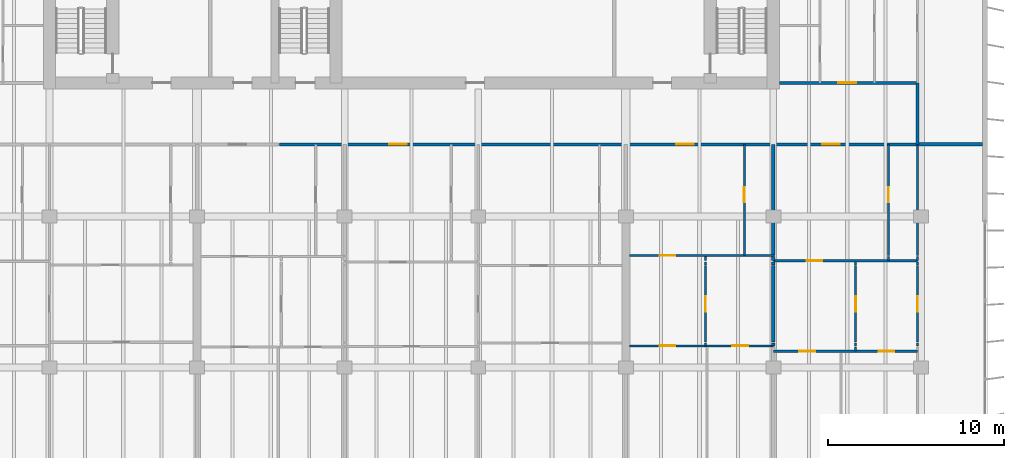
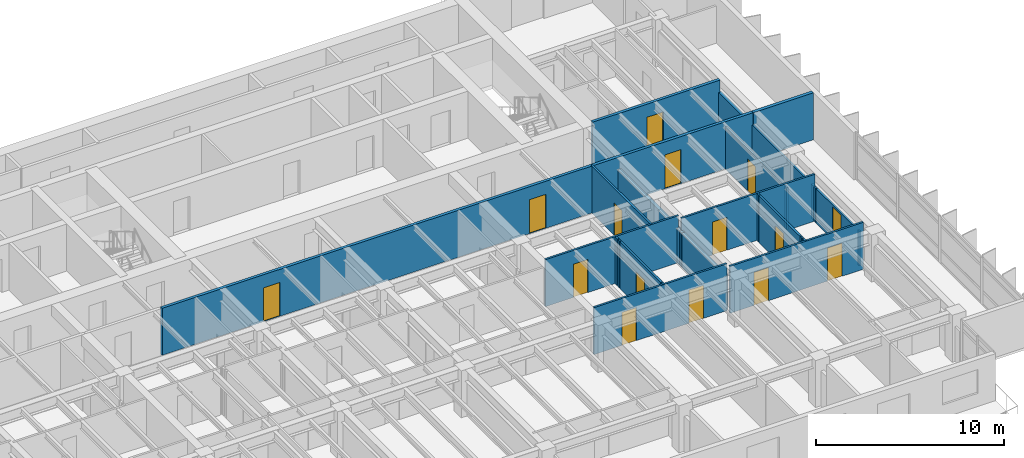
# One storey, part 12 of 19: 29 walls, 15 doors, 15 openings.
"""IFC4 building model written with IfcOpenShell, lengths in metres."""

from ifc_helpers import new_model, si_unit, direction, frame, frame_2d, origin, place, context, subcontext, project, spatial, rectangle, extrude, material, layer, layer_set, type_object, element, fill, save


model = new_model("IFC4")

# Units and contexts
model_context = context("Model", 3, precision=1e-05, world=origin(), true_north=direction((0.0, 1.0)))
body_context = subcontext(model_context, "Body", "Model", "MODEL_VIEW")
ifc_project = project(units=[si_unit("LENGTHUNIT", "METRE"), si_unit("AREAUNIT", "SQUARE_METRE"), si_unit("VOLUMEUNIT", "CUBIC_METRE"), si_unit("PLANEANGLEUNIT", "RADIAN"), si_unit("MASSUNIT", "GRAM", prefix="KILO")], contexts=[model_context])

# Site, building, storey
site_placement = place(None, origin())
site = spatial("IfcSite", under=ifc_project, at=site_placement, CompositionType="ELEMENT")
building_placement = place(site_placement, origin())
building = spatial("IfcBuilding", under=site, at=building_placement, Name="Caelmar Bay Residences", CompositionType="ELEMENT")
storey_placement = place(building_placement, frame((0.0, 0.0, 191.699951171875)))
storey = spatial("IfcBuildingStorey", under=building, at=storey_placement, Name="L53", CompositionType="ELEMENT", Elevation=191.699951171875)

# Wall
ifc_material_1 = material(Name="Double-stud acoustic fire-rated gypsum partition 180 mm")
ifc_layer_1 = layer(ifc_material_1, 0.179931640625)
ifc_layer_set_1 = layer_set([ifc_layer_1], Name="Double-stud acoustic fire-rated gypsum partition 180 mm")
wall_type_1 = type_object("IfcWallType", Name="W-COR-200", PredefinedType="PARTITIONING", material=ifc_layer_set_1)
wall_1_placement = place(storey_placement, frame((67.699951171875, 33.5048828125, 0.0), z_axis=(0.0, 0.0, 1.0), x_axis=(0.0, 1.0, 0.0)))
element("IfcWall", 1, at=wall_1_placement, inside=storey, type_object=wall_type_1, Name="L53 Partition Wall V101", PredefinedType="PARTITIONING", context=body_context, shape_type="SweptSolid", body=[
    extrude(rectangle(XDim=3.4951171875, YDim=0.179931640625, at=frame_2d((1.74755859375, 0.0))), origin(), (0.0, 0.0, 1.0), 2.262939453125),
])

# Wall, openings, doors
wall_2_placement = place(storey_placement, frame((31.39990234375, 33.5, 0.0), z_axis=(0.0, 0.0, 1.0), x_axis=(1.0, 0.0, 0.0)))
wall_2 = element("IfcWall", 2, at=wall_2_placement, inside=storey, type_object=wall_type_1, Name="L53 Partition Wall H126", PredefinedType="PARTITIONING", context=body_context, shape_type="SweptSolid", body=[
    extrude(rectangle(XDim=36.300048828125, YDim=0.179931640625, at=frame_2d((18.14990234375, 0.0))), origin(), (0.0, 0.0, 1.0), 3.050048828125),
])
opening_1_placement = place(wall_2_placement, frame((6.2314453125, 0.0, 0.0)))
opening_1 = element("IfcOpeningElement", 3, at=opening_1_placement, cuts=wall_2, Name="Opening D-L53-139", PredefinedType="OPENING", context=body_context, shape_type="SweptSolid", body=[
    extrude(rectangle(XDim=1.0, YDim=2.199951171875, at=frame_2d((0.5, 1.10009765625))), frame((0.0, 0.099853515625, 0.0), z_axis=(0.0, -1.0, 0.0), x_axis=(1.0, 0.0, 0.0)), (0.0, 0.0, 1.0), 0.199951171875),
])
opening_2_placement = place(wall_2_placement, frame((22.574951171875, 0.0, 0.0)))
opening_2 = element("IfcOpeningElement", 4, at=opening_2_placement, cuts=wall_2, Name="Opening D-L53-148", PredefinedType="OPENING", context=body_context, shape_type="SweptSolid", body=[
    extrude(rectangle(XDim=1.0, YDim=2.199951171875, at=frame_2d((0.5, 1.10009765625))), frame((0.0, 0.099853515625, 0.0), z_axis=(0.0, -1.0, 0.0), x_axis=(1.0, 0.0, 0.0)), (0.0, 0.0, 1.0), 0.199951171875),
])
opening_3_placement = place(wall_2_placement, frame((30.875, 0.0, 0.0)))
opening_3 = element("IfcOpeningElement", 5, at=opening_3_placement, cuts=wall_2, Name="Opening D-L53-154", PredefinedType="OPENING", context=body_context, shape_type="SweptSolid", body=[
    extrude(rectangle(XDim=1.0, YDim=2.199951171875, at=frame_2d((0.5, 1.10009765625))), frame((0.0, 0.099853515625, 0.0), z_axis=(0.0, -1.0, 0.0), x_axis=(1.0, 0.0, 0.0)), (0.0, 0.0, 1.0), 0.199951171875),
])
ifc_material_2 = material(Name="Fire-rated steel and walnut architectural door assembly", Category="steel")
ifc_layer_2 = layer(ifc_material_2, 0.050048828125)
ifc_layer_set_2 = layer_set([ifc_layer_2], Name="Fire-rated steel and walnut architectural door assembly")
door_type_1 = type_object("IfcDoorType", Name="D-UNIT-1000", OperationType="NOTDEFINED", PredefinedType="DOOR", material=ifc_layer_set_2)
door_1_placement = place(opening_1_placement, origin())
door_1 = element("IfcDoor", 6, at=door_1_placement, inside=storey, type_object=door_type_1, Name="L53 Residence 03 Apartment Hall Door", OperationType="SINGLE_SWING_LEFT", OverallHeight=2.199951171875, OverallWidth=1.0, PredefinedType="DOOR", context=body_context, shape_type="SweptSolid", body=[
    extrude(rectangle(XDim=1.0, YDim=2.199951171875, at=frame_2d((0.5, 1.10009765625))), frame((0.0, 0.02490234375, 0.0), z_axis=(0.0, -1.0, 0.0), x_axis=(1.0, 0.0, 0.0)), (0.0, 0.0, 1.0), 0.050048828125),
])
fill(opening_1, door_1)
door_2_placement = place(opening_2_placement, origin())
door_2 = element("IfcDoor", 7, at=door_2_placement, inside=storey, type_object=door_type_1, Name="L53 Residence 04 Apartment Hall Door", OperationType="SINGLE_SWING_RIGHT", OverallHeight=2.199951171875, OverallWidth=1.0, PredefinedType="DOOR", context=body_context, shape_type="SweptSolid", body=[
    extrude(rectangle(XDim=1.0, YDim=2.199951171875, at=frame_2d((0.5, 1.10009765625))), frame((0.0, 0.02490234375, 0.0), z_axis=(0.0, -1.0, 0.0), x_axis=(1.0, 0.0, 0.0)), (0.0, 0.0, 1.0), 0.050048828125),
])
fill(opening_2, door_2)
door_3_placement = place(opening_3_placement, origin())
door_3 = element("IfcDoor", 8, at=door_3_placement, inside=storey, type_object=door_type_1, Name="L53 Residence 05 Apartment Hall Door", OperationType="SINGLE_SWING_RIGHT", OverallHeight=2.199951171875, OverallWidth=1.0, PredefinedType="DOOR", context=body_context, shape_type="SweptSolid", body=[
    extrude(rectangle(XDim=1.0, YDim=2.199951171875, at=frame_2d((0.5, 1.10009765625))), frame((0.0, 0.02490234375, 0.0), z_axis=(0.0, -1.0, 0.0), x_axis=(1.0, 0.0, 0.0)), (0.0, 0.0, 1.0), 0.050048828125),
])
fill(opening_3, door_3)

# Wall, opening, door
wall_3_placement = place(storey_placement, frame((59.85498046875, 37.0, 0.0), z_axis=(0.0, 0.0, 1.0), x_axis=(1.0, 0.0, 0.0)))
wall_3 = element("IfcWall", 9, at=wall_3_placement, inside=storey, type_object=wall_type_1, Name="L53 Partition Wall H129", PredefinedType="PARTITIONING", context=body_context, shape_type="SweptSolid", body=[
    extrude(rectangle(XDim=7.844970703125, YDim=0.179931640625, at=frame_2d((3.92236328125, 0.0))), origin(), (0.0, 0.0, 1.0), 3.050048828125),
])
opening_4_placement = place(wall_3_placement, frame((3.34912109375, 0.0, 0.0)))
opening_4 = element("IfcOpeningElement", 10, at=opening_4_placement, cuts=wall_3, Name="Opening D-L53-171", PredefinedType="OPENING", context=body_context, shape_type="SweptSolid", body=[
    extrude(rectangle(XDim=1.0, YDim=2.199951171875, at=frame_2d((0.5, 1.10009765625))), frame((0.0, 0.099853515625, 0.0), z_axis=(0.0, -1.0, 0.0), x_axis=(1.0, 0.0, 0.0)), (0.0, 0.0, 1.0), 0.199951171875),
])
door_4_placement = place(opening_4_placement, origin())
door_4 = element("IfcDoor", 11, at=door_4_placement, inside=storey, type_object=door_type_1, Name="L53 Residence EA Kitchen Door", OperationType="SINGLE_SWING_LEFT", OverallHeight=2.199951171875, OverallWidth=1.0, PredefinedType="DOOR", context=body_context, shape_type="SweptSolid", body=[
    extrude(rectangle(XDim=1.0, YDim=2.199951171875, at=frame_2d((0.5, 1.10009765625))), frame((0.0, 0.02490234375, 0.0), z_axis=(0.0, -1.0, 0.0), x_axis=(1.0, 0.0, 0.0)), (0.0, 0.0, 1.0), 0.050048828125),
])
fill(opening_4, door_4)

# Wall
ifc_material_3 = material(Name="Acoustic metal-stud gypsum partition 120 mm")
ifc_layer_3 = layer(ifc_material_3, 0.1201171875)
ifc_layer_set_3 = layer_set([ifc_layer_3], Name="Acoustic metal-stud gypsum partition 120 mm")
wall_type_2 = type_object("IfcWallType", Name="W-PRT-120", PredefinedType="PARTITIONING", material=ifc_layer_set_3)
wall_4_placement = place(storey_placement, frame((55.635986328125, 22.0400390625, 0.0), z_axis=(0.0, 0.0, 1.0), x_axis=(0.0, 1.0, 0.0)))
element("IfcWall", 12, at=wall_4_placement, inside=storey, type_object=wall_type_2, Name="L53 Partition Wall V070", PredefinedType="PARTITIONING", context=body_context, shape_type="SweptSolid", body=[
    extrude(rectangle(XDim=0.159912109375, YDim=0.1201171875, at=frame_2d((0.080078125, 0.0))), origin(), (0.0, 0.0, 1.0), 3.050048828125),
])

# Wall, opening, door
wall_5_placement = place(storey_placement, frame((55.635986328125, 22.239990234375, 0.0), z_axis=(0.0, 0.0, 1.0), x_axis=(0.0, 1.0, 0.0)))
wall_5 = element("IfcWall", 13, at=wall_5_placement, inside=storey, type_object=wall_type_2, Name="L53 Partition Wall V071", PredefinedType="PARTITIONING", context=body_context, shape_type="SweptSolid", body=[
    extrude(rectangle(XDim=4.360107421875, YDim=0.1201171875, at=frame_2d((2.18017578125, 0.0))), origin(), (0.0, 0.0, 1.0), 3.050048828125),
])
opening_5_placement = place(wall_5_placement, frame((1.72998046875, 0.0, 0.0)))
opening_5 = element("IfcOpeningElement", 14, at=opening_5_placement, cuts=wall_5, Name="Opening D-L53-151", PredefinedType="OPENING", context=body_context, shape_type="SweptSolid", body=[
    extrude(rectangle(XDim=0.89990234375, YDim=2.14990234375, at=frame_2d((0.449951171875, 1.074951171875))), frame((0.0, 0.070068359375, 0.0), z_axis=(0.0, -1.0, 0.0), x_axis=(1.0, 0.0, 0.0)), (0.0, 0.0, 1.0), 0.14013671875),
])
ifc_material_4 = material(Name="Solid walnut timber interior door leaf and frame", Category="wood")
ifc_layer_4 = layer(ifc_material_4, 0.050048828125)
ifc_layer_set_4 = layer_set([ifc_layer_4], Name="Solid walnut timber interior door leaf and frame")
door_type_2 = type_object("IfcDoorType", Name="D-ROOM-900", OperationType="NOTDEFINED", PredefinedType="DOOR", material=ifc_layer_set_4)
door_5_placement = place(opening_5_placement, origin())
door_5 = element("IfcDoor", 15, at=door_5_placement, inside=storey, type_object=door_type_2, Name="L53 Residence 04 Private Meeting Room Door", OperationType="SINGLE_SWING_LEFT", OverallHeight=2.14990234375, OverallWidth=0.89990234375, PredefinedType="DOOR", context=body_context, shape_type="SweptSolid", body=[
    extrude(rectangle(XDim=0.89990234375, YDim=2.14990234375, at=frame_2d((0.449951171875, 1.074951171875))), frame((0.0, 0.02490234375, 0.0), z_axis=(0.0, -1.0, 0.0), x_axis=(1.0, 0.0, 0.0)), (0.0, 0.0, 1.0), 0.050048828125),
])
fill(opening_5, door_5)

# Walls
wall_6_placement = place(storey_placement, frame((55.635986328125, 26.639892578125, 0.0), z_axis=(0.0, 0.0, 1.0), x_axis=(0.0, 1.0, 0.0)))
element("IfcWall", 16, at=wall_6_placement, inside=storey, type_object=wall_type_2, Name="L53 Partition Wall V072", PredefinedType="PARTITIONING", context=body_context, shape_type="SweptSolid", body=[
    extrude(rectangle(XDim=0.16015625, YDim=0.1201171875, at=frame_2d((0.080078125, 0.0))), origin(), (0.0, 0.0, 1.0), 3.050048828125),
])
wall_7_placement = place(storey_placement, frame((55.635986328125, 26.8798828125, 0.0), z_axis=(0.0, 0.0, 1.0), x_axis=(0.0, 1.0, 0.0)))
element("IfcWall", 17, at=wall_7_placement, inside=storey, type_object=wall_type_2, Name="L53 Partition Wall V073", PredefinedType="PARTITIONING", context=body_context, shape_type="SweptSolid", body=[
    extrude(rectangle(XDim=0.240234375, YDim=0.1201171875, at=frame_2d((0.1201171875, 0.0))), origin(), (0.0, 0.0, 1.0), 3.050048828125),
])

# Wall, opening, door
wall_8_placement = place(storey_placement, frame((57.85009765625, 27.179931640625, 0.0), z_axis=(0.0, 0.0, 1.0), x_axis=(0.0, 1.0, 0.0)))
wall_8 = element("IfcWall", 18, at=wall_8_placement, inside=storey, type_object=wall_type_2, Name="L53 Partition Wall V077", PredefinedType="PARTITIONING", context=body_context, shape_type="SweptSolid", body=[
    extrude(rectangle(XDim=6.320068359375, YDim=0.1201171875, at=frame_2d((3.16015625, 0.0))), origin(), (0.0, 0.0, 1.0), 3.050048828125),
])
opening_6_placement = place(wall_8_placement, frame((3.034912109375, 0.0, 0.0)))
opening_6 = element("IfcOpeningElement", 19, at=opening_6_placement, cuts=wall_8, Name="Opening D-L53-149", PredefinedType="OPENING", context=body_context, shape_type="SweptSolid", body=[
    extrude(rectangle(XDim=0.85009765625, YDim=2.10009765625, at=frame_2d((0.425048828125, 1.050048828125))), frame((0.0, 0.070068359375, 0.0), z_axis=(0.0, -1.0, 0.0), x_axis=(1.0, 0.0, 0.0)), (0.0, 0.0, 1.0), 0.14013671875),
])
ifc_layer_5 = layer(ifc_material_4, 0.050048828125)
ifc_layer_set_5 = layer_set([ifc_layer_5], Name="Solid walnut timber interior door leaf and frame")
door_type_3 = type_object("IfcDoorType", Name="D-BATH-850", OperationType="NOTDEFINED", PredefinedType="DOOR", material=ifc_layer_set_5)
door_6_placement = place(opening_6_placement, origin())
door_6 = element("IfcDoor", 20, at=door_6_placement, inside=storey, type_object=door_type_3, Name="L53 Residence 04 Bathroom Door", OperationType="SINGLE_SWING_LEFT", OverallHeight=2.10009765625, OverallWidth=0.85009765625, PredefinedType="DOOR", context=body_context, shape_type="SweptSolid", body=[
    extrude(rectangle(XDim=0.85009765625, YDim=2.10009765625, at=frame_2d((0.425048828125, 1.050048828125))), frame((0.0, 0.02490234375, 0.0), z_axis=(0.0, -1.0, 0.0), x_axis=(1.0, 0.0, 0.0)), (0.0, 0.0, 1.0), 0.050048828125),
])
fill(opening_6, door_6)

# Walls
wall_9_placement = place(storey_placement, frame((64.177978515625, 21.72998046875, 0.0), z_axis=(0.0, 0.0, 1.0), x_axis=(0.0, 1.0, 0.0)))
element("IfcWall", 21, at=wall_9_placement, inside=storey, type_object=wall_type_2, Name="L53 Partition Wall V088", PredefinedType="PARTITIONING", context=body_context, shape_type="SweptSolid", body=[
    extrude(rectangle(XDim=0.239990234375, YDim=0.1201171875, at=frame_2d((0.1201171875, 0.0))), origin(), (0.0, 0.0, 1.0), 3.050048828125),
])
wall_10_placement = place(storey_placement, frame((64.177978515625, 22.0400390625, 0.0), z_axis=(0.0, 0.0, 1.0), x_axis=(0.0, 1.0, 0.0)))
element("IfcWall", 22, at=wall_10_placement, inside=storey, type_object=wall_type_2, Name="L53 Partition Wall V089", PredefinedType="PARTITIONING", context=body_context, shape_type="SweptSolid", body=[
    extrude(rectangle(XDim=0.159912109375, YDim=0.1201171875, at=frame_2d((0.080078125, 0.0))), origin(), (0.0, 0.0, 1.0), 3.050048828125),
])

# Wall, opening, door
wall_11_placement = place(storey_placement, frame((64.177978515625, 22.239990234375, 0.0), z_axis=(0.0, 0.0, 1.0), x_axis=(0.0, 1.0, 0.0)))
wall_11 = element("IfcWall", 23, at=wall_11_placement, inside=storey, type_object=wall_type_2, Name="L53 Partition Wall V090", PredefinedType="PARTITIONING", context=body_context, shape_type="SweptSolid", body=[
    extrude(rectangle(XDim=4.360107421875, YDim=0.1201171875, at=frame_2d((2.18017578125, 0.0))), origin(), (0.0, 0.0, 1.0), 3.050048828125),
])
opening_7_placement = place(wall_11_placement, frame((1.72998046875, 0.0, 0.0)))
opening_7 = element("IfcOpeningElement", 24, at=opening_7_placement, cuts=wall_11, Name="Opening D-L53-157", PredefinedType="OPENING", context=body_context, shape_type="SweptSolid", body=[
    extrude(rectangle(XDim=0.89990234375, YDim=2.14990234375, at=frame_2d((0.449951171875, 1.074951171875))), frame((0.0, 0.070068359375, 0.0), z_axis=(0.0, -1.0, 0.0), x_axis=(1.0, 0.0, 0.0)), (0.0, 0.0, 1.0), 0.14013671875),
])
door_7_placement = place(opening_7_placement, origin())
door_7 = element("IfcDoor", 25, at=door_7_placement, inside=storey, type_object=door_type_2, Name="L53 Residence 05 Private Meeting Room Door", OperationType="SINGLE_SWING_LEFT", OverallHeight=2.14990234375, OverallWidth=0.89990234375, PredefinedType="DOOR", context=body_context, shape_type="SweptSolid", body=[
    extrude(rectangle(XDim=0.89990234375, YDim=2.14990234375, at=frame_2d((0.449951171875, 1.074951171875))), frame((0.0, 0.02490234375, 0.0), z_axis=(0.0, -1.0, 0.0), x_axis=(1.0, 0.0, 0.0)), (0.0, 0.0, 1.0), 0.050048828125),
])
fill(opening_7, door_7)

# Walls
wall_12_placement = place(storey_placement, frame((64.177978515625, 26.639892578125, 0.0), z_axis=(0.0, 0.0, 1.0), x_axis=(0.0, 1.0, 0.0)))
element("IfcWall", 26, at=wall_12_placement, inside=storey, type_object=wall_type_2, Name="L53 Partition Wall V091", PredefinedType="PARTITIONING", context=body_context, shape_type="SweptSolid", body=[
    extrude(rectangle(XDim=0.16015625, YDim=0.1201171875, at=frame_2d((0.080078125, 0.0))), origin(), (0.0, 0.0, 1.0), 3.050048828125),
])
wall_13_placement = place(storey_placement, frame((66.050048828125, 26.8798828125, 0.0), z_axis=(0.0, 0.0, 1.0), x_axis=(0.0, 1.0, 0.0)))
element("IfcWall", 27, at=wall_13_placement, inside=storey, type_object=wall_type_2, Name="L53 Partition Wall V093", PredefinedType="PARTITIONING", context=body_context, shape_type="SweptSolid", body=[
    extrude(rectangle(XDim=0.240234375, YDim=0.1201171875, at=frame_2d((0.1201171875, 0.0))), origin(), (0.0, 0.0, 1.0), 2.72509765625),
])

# Wall, opening, door
wall_14_placement = place(storey_placement, frame((66.050048828125, 27.179931640625, 0.0), z_axis=(0.0, 0.0, 1.0), x_axis=(0.0, 1.0, 0.0)))
wall_14 = element("IfcWall", 28, at=wall_14_placement, inside=storey, type_object=wall_type_2, Name="L53 Partition Wall V094", PredefinedType="PARTITIONING", context=body_context, shape_type="SweptSolid", body=[
    extrude(rectangle(XDim=6.320068359375, YDim=0.1201171875, at=frame_2d((3.16015625, 0.0))), origin(), (0.0, 0.0, 1.0), 2.72509765625),
])
opening_8_placement = place(wall_14_placement, frame((3.034912109375, 0.0, 0.0)))
opening_8 = element("IfcOpeningElement", 29, at=opening_8_placement, cuts=wall_14, Name="Opening D-L53-155", PredefinedType="OPENING", context=body_context, shape_type="SweptSolid", body=[
    extrude(rectangle(XDim=0.85009765625, YDim=2.10009765625, at=frame_2d((0.425048828125, 1.050048828125))), frame((0.0, 0.070068359375, 0.0), z_axis=(0.0, -1.0, 0.0), x_axis=(1.0, 0.0, 0.0)), (0.0, 0.0, 1.0), 0.14013671875),
])
door_8_placement = place(opening_8_placement, origin())
door_8 = element("IfcDoor", 30, at=door_8_placement, inside=storey, type_object=door_type_3, Name="L53 Residence 05 Bathroom Door", OperationType="SINGLE_SWING_LEFT", OverallHeight=2.10009765625, OverallWidth=0.85009765625, PredefinedType="DOOR", context=body_context, shape_type="SweptSolid", body=[
    extrude(rectangle(XDim=0.85009765625, YDim=2.10009765625, at=frame_2d((0.425048828125, 1.050048828125))), frame((0.0, 0.02490234375, 0.0), z_axis=(0.0, -1.0, 0.0), x_axis=(1.0, 0.0, 0.0)), (0.0, 0.0, 1.0), 0.050048828125),
])
fill(opening_8, door_8)

# Wall
wall_15_placement = place(storey_placement, frame((67.699951171875, 22.0400390625, 0.0), z_axis=(0.0, 0.0, 1.0), x_axis=(0.0, 1.0, 0.0)))
element("IfcWall", 31, at=wall_15_placement, inside=storey, type_object=wall_type_2, Name="L53 Partition Wall V096", PredefinedType="PARTITIONING", context=body_context, shape_type="SweptSolid", body=[
    extrude(rectangle(XDim=0.159912109375, YDim=0.1201171875, at=frame_2d((0.080078125, 0.0))), origin(), (0.0, 0.0, 1.0), 2.262939453125),
])

# Wall, opening, door
wall_16_placement = place(storey_placement, frame((67.699951171875, 22.239990234375, 0.0), z_axis=(0.0, 0.0, 1.0), x_axis=(0.0, 1.0, 0.0)))
wall_16 = element("IfcWall", 32, at=wall_16_placement, inside=storey, type_object=wall_type_2, Name="L53 Partition Wall V097", PredefinedType="PARTITIONING", context=body_context, shape_type="SweptSolid", body=[
    extrude(rectangle(XDim=4.360107421875, YDim=0.1201171875, at=frame_2d((2.18017578125, 0.0))), origin(), (0.0, 0.0, 1.0), 2.262939453125),
])
opening_9_placement = place(wall_16_placement, frame((1.72998046875, 0.0, 0.0)))
opening_9 = element("IfcOpeningElement", 33, at=opening_9_placement, cuts=wall_16, Name="Opening D-L53-162", PredefinedType="OPENING", context=body_context, shape_type="SweptSolid", body=[
    extrude(rectangle(XDim=0.89990234375, YDim=2.14990234375, at=frame_2d((0.449951171875, 1.074951171875))), frame((0.0, 0.070068359375, 0.0), z_axis=(0.0, -1.0, 0.0), x_axis=(1.0, 0.0, 0.0)), (0.0, 0.0, 1.0), 0.14013671875),
])
door_9_placement = place(opening_9_placement, origin())
door_9 = element("IfcDoor", 34, at=door_9_placement, inside=storey, type_object=door_type_2, Name="L53 Residence 05 Penthouse East Salon Door", OperationType="SINGLE_SWING_RIGHT", OverallHeight=2.14990234375, OverallWidth=0.89990234375, PredefinedType="DOOR", context=body_context, shape_type="SweptSolid", body=[
    extrude(rectangle(XDim=0.89990234375, YDim=2.14990234375, at=frame_2d((0.449951171875, 1.074951171875))), frame((0.0, 0.02490234375, 0.0), z_axis=(0.0, -1.0, 0.0), x_axis=(1.0, 0.0, 0.0)), (0.0, 0.0, 1.0), 0.050048828125),
])
fill(opening_9, door_9)

# Walls
wall_17_placement = place(storey_placement, frame((67.699951171875, 26.639892578125, 0.0), z_axis=(0.0, 0.0, 1.0), x_axis=(0.0, 1.0, 0.0)))
element("IfcWall", 35, at=wall_17_placement, inside=storey, type_object=wall_type_2, Name="L53 Partition Wall V098", PredefinedType="PARTITIONING", context=body_context, shape_type="SweptSolid", body=[
    extrude(rectangle(XDim=0.16015625, YDim=0.1201171875, at=frame_2d((0.080078125, 0.0))), origin(), (0.0, 0.0, 1.0), 2.262939453125),
])
wall_18_placement = place(storey_placement, frame((67.699951171875, 26.8798828125, 0.0), z_axis=(0.0, 0.0, 1.0), x_axis=(0.0, 1.0, 0.0)))
element("IfcWall", 36, at=wall_18_placement, inside=storey, type_object=wall_type_2, Name="L53 Partition Wall V099", PredefinedType="PARTITIONING", context=body_context, shape_type="SweptSolid", body=[
    extrude(rectangle(XDim=0.240234375, YDim=0.1201171875, at=frame_2d((0.1201171875, 0.0))), origin(), (0.0, 0.0, 1.0), 2.262939453125),
])
wall_19_placement = place(storey_placement, frame((67.699951171875, 27.179931640625, 0.0), z_axis=(0.0, 0.0, 1.0), x_axis=(0.0, 1.0, 0.0)))
element("IfcWall", 37, at=wall_19_placement, inside=storey, type_object=wall_type_2, Name="L53 Partition Wall V100", PredefinedType="PARTITIONING", context=body_context, shape_type="SweptSolid", body=[
    extrude(rectangle(XDim=6.320068359375, YDim=0.1201171875, at=frame_2d((3.16015625, 0.0))), origin(), (0.0, 0.0, 1.0), 2.262939453125),
])

# Wall, openings, doors
wall_20_placement = place(storey_placement, frame((59.5, 21.72998046875, 0.0), z_axis=(0.0, 0.0, 1.0), x_axis=(1.0, 0.0, 0.0)))
wall_20 = element("IfcWall", 38, at=wall_20_placement, inside=storey, type_object=wall_type_2, Name="L53 Partition Wall H107", PredefinedType="PARTITIONING", context=body_context, shape_type="SweptSolid", body=[
    extrude(rectangle(XDim=8.199951171875, YDim=0.1201171875, at=frame_2d((4.10009765625, 0.0))), origin(), (0.0, 0.0, 1.0), 3.050048828125),
])
opening_10_placement = place(wall_20_placement, frame((1.47705078125, 0.0, 0.0)))
opening_10 = element("IfcOpeningElement", 39, at=opening_10_placement, cuts=wall_20, Name="Opening D-L53-158", PredefinedType="OPENING", context=body_context, shape_type="SweptSolid", body=[
    extrude(rectangle(XDim=0.89990234375, YDim=2.14990234375, at=frame_2d((0.449951171875, 1.074951171875))), frame((0.0, 0.070068359375, 0.0), z_axis=(0.0, -1.0, 0.0), x_axis=(1.0, 0.0, 0.0)), (0.0, 0.0, 1.0), 0.14013671875),
])
opening_11_placement = place(wall_20_placement, frame((5.989013671875, 0.0, 0.0)))
opening_11 = element("IfcOpeningElement", 40, at=opening_11_placement, cuts=wall_20, Name="Opening D-L53-159", PredefinedType="OPENING", context=body_context, shape_type="SweptSolid", body=[
    extrude(rectangle(XDim=0.89990234375, YDim=2.14990234375, at=frame_2d((0.449951171875, 1.074951171875))), frame((0.0, 0.070068359375, 0.0), z_axis=(0.0, -1.0, 0.0), x_axis=(1.0, 0.0, 0.0)), (0.0, 0.0, 1.0), 0.14013671875),
])
door_10_placement = place(opening_10_placement, origin())
door_10 = element("IfcDoor", 41, at=door_10_placement, inside=storey, type_object=door_type_2, Name="L53 Residence 05 Living Room Door", OperationType="SINGLE_SWING_RIGHT", OverallHeight=2.14990234375, OverallWidth=0.89990234375, PredefinedType="DOOR", context=body_context, shape_type="SweptSolid", body=[
    extrude(rectangle(XDim=0.89990234375, YDim=2.14990234375, at=frame_2d((0.449951171875, 1.074951171875))), frame((0.0, 0.02490234375, 0.0), z_axis=(0.0, -1.0, 0.0), x_axis=(1.0, 0.0, 0.0)), (0.0, 0.0, 1.0), 0.050048828125),
])
fill(opening_10, door_10)
door_11_placement = place(opening_11_placement, origin())
door_11 = element("IfcDoor", 42, at=door_11_placement, inside=storey, type_object=door_type_2, Name="L53 Residence 05 Bedroom 2 Door", OperationType="SINGLE_SWING_LEFT", OverallHeight=2.14990234375, OverallWidth=0.89990234375, PredefinedType="DOOR", context=body_context, shape_type="SweptSolid", body=[
    extrude(rectangle(XDim=0.89990234375, YDim=2.14990234375, at=frame_2d((0.449951171875, 1.074951171875))), frame((0.0, 0.02490234375, 0.0), z_axis=(0.0, -1.0, 0.0), x_axis=(1.0, 0.0, 0.0)), (0.0, 0.0, 1.0), 0.050048828125),
])
fill(opening_11, door_11)

wall_21_placement = place(storey_placement, frame((51.320068359375, 22.030029296875, 0.0), z_axis=(0.0, 0.0, 1.0), x_axis=(1.0, 0.0, 0.0)))
wall_21 = element("IfcWall", 43, at=wall_21_placement, inside=storey, type_object=wall_type_2, Name="L53 Partition Wall H111", PredefinedType="PARTITIONING", context=body_context, shape_type="SweptSolid", body=[
    extrude(rectangle(XDim=8.179931640625, YDim=0.1201171875, at=frame_2d((4.08984375, 0.0))), origin(), (0.0, 0.0, 1.0), 3.050048828125),
])
opening_12_placement = place(wall_21_placement, frame((1.7080078125, 0.0, 0.0)))
opening_12 = element("IfcOpeningElement", 44, at=opening_12_placement, cuts=wall_21, Name="Opening D-L53-152", PredefinedType="OPENING", context=body_context, shape_type="SweptSolid", body=[
    extrude(rectangle(XDim=0.89990234375, YDim=2.14990234375, at=frame_2d((0.449951171875, 1.074951171875))), frame((0.0, 0.070068359375, 0.0), z_axis=(0.0, -1.0, 0.0), x_axis=(1.0, 0.0, 0.0)), (0.0, 0.0, 1.0), 0.14013671875),
])
opening_13_placement = place(wall_21_placement, frame((5.840087890625, 0.0, 0.0)))
opening_13 = element("IfcOpeningElement", 45, at=opening_13_placement, cuts=wall_21, Name="Opening D-L53-153", PredefinedType="OPENING", context=body_context, shape_type="SweptSolid", body=[
    extrude(rectangle(XDim=0.89990234375, YDim=2.14990234375, at=frame_2d((0.449951171875, 1.074951171875))), frame((0.0, 0.070068359375, 0.0), z_axis=(0.0, -1.0, 0.0), x_axis=(1.0, 0.0, 0.0)), (0.0, 0.0, 1.0), 0.14013671875),
])
door_12_placement = place(opening_12_placement, origin())
door_12 = element("IfcDoor", 46, at=door_12_placement, inside=storey, type_object=door_type_2, Name="L53 Residence 04 Living Room Door", OperationType="SINGLE_SWING_RIGHT", OverallHeight=2.14990234375, OverallWidth=0.89990234375, PredefinedType="DOOR", context=body_context, shape_type="SweptSolid", body=[
    extrude(rectangle(XDim=0.89990234375, YDim=2.14990234375, at=frame_2d((0.449951171875, 1.074951171875))), frame((0.0, 0.02490234375, 0.0), z_axis=(0.0, -1.0, 0.0), x_axis=(1.0, 0.0, 0.0)), (0.0, 0.0, 1.0), 0.050048828125),
])
fill(opening_12, door_12)
door_13_placement = place(opening_13_placement, origin())
door_13 = element("IfcDoor", 47, at=door_13_placement, inside=storey, type_object=door_type_2, Name="L53 Residence 04 Primary Bedroom Door", OperationType="SINGLE_SWING_LEFT", OverallHeight=2.14990234375, OverallWidth=0.89990234375, PredefinedType="DOOR", context=body_context, shape_type="SweptSolid", body=[
    extrude(rectangle(XDim=0.89990234375, YDim=2.14990234375, at=frame_2d((0.449951171875, 1.074951171875))), frame((0.0, 0.02490234375, 0.0), z_axis=(0.0, -1.0, 0.0), x_axis=(1.0, 0.0, 0.0)), (0.0, 0.0, 1.0), 0.050048828125),
])
fill(opening_13, door_13)

# Wall, opening, door
wall_22_placement = place(storey_placement, frame((59.5, 26.8798828125, 0.0), z_axis=(0.0, 0.0, 1.0), x_axis=(1.0, 0.0, 0.0)))
wall_22 = element("IfcWall", 48, at=wall_22_placement, inside=storey, type_object=wall_type_2, Name="L53 Partition Wall H119", PredefinedType="PARTITIONING", context=body_context, shape_type="SweptSolid", body=[
    extrude(rectangle(XDim=8.199951171875, YDim=0.1201171875, at=frame_2d((4.10009765625, 0.0))), origin(), (0.0, 0.0, 1.0), 3.050048828125),
])
opening_14_placement = place(wall_22_placement, frame((1.888916015625, 0.0, 0.0)))
opening_14 = element("IfcOpeningElement", 49, at=opening_14_placement, cuts=wall_22, Name="Opening D-L53-156", PredefinedType="OPENING", context=body_context, shape_type="SweptSolid", body=[
    extrude(rectangle(XDim=0.89990234375, YDim=2.14990234375, at=frame_2d((0.449951171875, 1.074951171875))), frame((0.0, 0.070068359375, 0.0), z_axis=(0.0, -1.0, 0.0), x_axis=(1.0, 0.0, 0.0)), (0.0, 0.0, 1.0), 0.14013671875),
])
door_14_placement = place(opening_14_placement, origin())
door_14 = element("IfcDoor", 50, at=door_14_placement, inside=storey, type_object=door_type_2, Name="L53 Residence 05 Kitchen Door", OperationType="SINGLE_SWING_RIGHT", OverallHeight=2.14990234375, OverallWidth=0.89990234375, PredefinedType="DOOR", context=body_context, shape_type="SweptSolid", body=[
    extrude(rectangle(XDim=0.89990234375, YDim=2.14990234375, at=frame_2d((0.449951171875, 1.074951171875))), frame((0.0, 0.02490234375, 0.0), z_axis=(0.0, -1.0, 0.0), x_axis=(1.0, 0.0, 0.0)), (0.0, 0.0, 1.0), 0.050048828125),
])
fill(opening_14, door_14)

wall_23_placement = place(storey_placement, frame((51.320068359375, 27.179931640625, 0.0), z_axis=(0.0, 0.0, 1.0), x_axis=(1.0, 0.0, 0.0)))
wall_23 = element("IfcWall", 51, at=wall_23_placement, inside=storey, type_object=wall_type_2, Name="L53 Partition Wall H122", PredefinedType="PARTITIONING", context=body_context, shape_type="SweptSolid", body=[
    extrude(rectangle(XDim=8.179931640625, YDim=0.1201171875, at=frame_2d((4.08984375, 0.0))), origin(), (0.0, 0.0, 1.0), 3.050048828125),
])
opening_15_placement = place(wall_23_placement, frame((1.7080078125, 0.0, 0.0)))
opening_15 = element("IfcOpeningElement", 52, at=opening_15_placement, cuts=wall_23, Name="Opening D-L53-150", PredefinedType="OPENING", context=body_context, shape_type="SweptSolid", body=[
    extrude(rectangle(XDim=0.89990234375, YDim=2.14990234375, at=frame_2d((0.449951171875, 1.074951171875))), frame((0.0, 0.070068359375, 0.0), z_axis=(0.0, -1.0, 0.0), x_axis=(1.0, 0.0, 0.0)), (0.0, 0.0, 1.0), 0.14013671875),
])
door_15_placement = place(opening_15_placement, origin())
door_15 = element("IfcDoor", 53, at=door_15_placement, inside=storey, type_object=door_type_2, Name="L53 Residence 04 Kitchen Door", OperationType="SINGLE_SWING_RIGHT", OverallHeight=2.14990234375, OverallWidth=0.89990234375, PredefinedType="DOOR", context=body_context, shape_type="SweptSolid", body=[
    extrude(rectangle(XDim=0.89990234375, YDim=2.14990234375, at=frame_2d((0.449951171875, 1.074951171875))), frame((0.0, 0.02490234375, 0.0), z_axis=(0.0, -1.0, 0.0), x_axis=(1.0, 0.0, 0.0)), (0.0, 0.0, 1.0), 0.050048828125),
])
fill(opening_15, door_15)

# Walls
ifc_material_5 = material(Name="Acoustic twin-stud fire-rated inter-tenancy partition 200 mm")
ifc_layer_6 = layer(ifc_material_5, 0.199951171875)
ifc_layer_set_6 = layer_set([ifc_layer_6], Name="Acoustic twin-stud fire-rated inter-tenancy partition 200 mm")
wall_type_3 = type_object("IfcWallType", Name="W-PTY-200", PredefinedType="PARTITIONING", material=ifc_layer_set_6)
wall_24_placement = place(storey_placement, frame((59.5, 22.0400390625, 0.0), z_axis=(0.0, 0.0, 1.0), x_axis=(0.0, 1.0, 0.0)))
element("IfcWall", 54, at=wall_24_placement, inside=storey, type_object=wall_type_3, Name="L53 Partition Wall V080", PredefinedType="PARTITIONING", context=body_context, shape_type="SweptSolid", body=[
    extrude(rectangle(XDim=0.159912109375, YDim=0.199951171875, at=frame_2d((0.080078125, 0.0))), origin(), (0.0, 0.0, 1.0), 2.262939453125),
])
wall_25_placement = place(storey_placement, frame((59.5, 22.239990234375, 0.0), z_axis=(0.0, 0.0, 1.0), x_axis=(0.0, 1.0, 0.0)))
element("IfcWall", 55, at=wall_25_placement, inside=storey, type_object=wall_type_3, Name="L53 Partition Wall V081", PredefinedType="PARTITIONING", context=body_context, shape_type="SweptSolid", body=[
    extrude(rectangle(XDim=4.360107421875, YDim=0.199951171875, at=frame_2d((2.18017578125, 0.0))), origin(), (0.0, 0.0, 1.0), 2.262939453125),
])
wall_26_placement = place(storey_placement, frame((59.5, 26.639892578125, 0.0), z_axis=(0.0, 0.0, 1.0), x_axis=(0.0, 1.0, 0.0)))
element("IfcWall", 56, at=wall_26_placement, inside=storey, type_object=wall_type_3, Name="L53 Partition Wall V082", PredefinedType="PARTITIONING", context=body_context, shape_type="SweptSolid", body=[
    extrude(rectangle(XDim=0.16015625, YDim=0.199951171875, at=frame_2d((0.080078125, 0.0))), origin(), (0.0, 0.0, 1.0), 2.262939453125),
])
wall_27_placement = place(storey_placement, frame((59.5, 26.8798828125, 0.0), z_axis=(0.0, 0.0, 1.0), x_axis=(0.0, 1.0, 0.0)))
element("IfcWall", 57, at=wall_27_placement, inside=storey, type_object=wall_type_3, Name="L53 Partition Wall V083", PredefinedType="PARTITIONING", context=body_context, shape_type="SweptSolid", body=[
    extrude(rectangle(XDim=0.240234375, YDim=0.199951171875, at=frame_2d((0.1201171875, 0.0))), origin(), (0.0, 0.0, 1.0), 2.262939453125),
])
wall_28_placement = place(storey_placement, frame((59.5, 27.179931640625, 0.0), z_axis=(0.0, 0.0, 1.0), x_axis=(0.0, 1.0, 0.0)))
element("IfcWall", 58, at=wall_28_placement, inside=storey, type_object=wall_type_3, Name="L53 Partition Wall V084", PredefinedType="PARTITIONING", context=body_context, shape_type="SweptSolid", body=[
    extrude(rectangle(XDim=6.320068359375, YDim=0.199951171875, at=frame_2d((3.16015625, 0.0))), origin(), (0.0, 0.0, 1.0), 2.262939453125),
])
wall_29_placement = place(storey_placement, frame((67.705078125, 33.5, 0.0), z_axis=(0.0, 0.0, 1.0), x_axis=(1.0, 0.0, 0.0)))
element("IfcWall", 59, at=wall_29_placement, inside=storey, type_object=wall_type_3, Name="L53 Partition Wall H127", PredefinedType="PARTITIONING", context=body_context, shape_type="SweptSolid", body=[
    extrude(rectangle(XDim=3.699951171875, YDim=0.199951171875, at=frame_2d((1.85009765625, 0.0))), origin(), (0.0, 0.0, 1.0), 3.050048828125),
])

save(model, "model.ifc")
